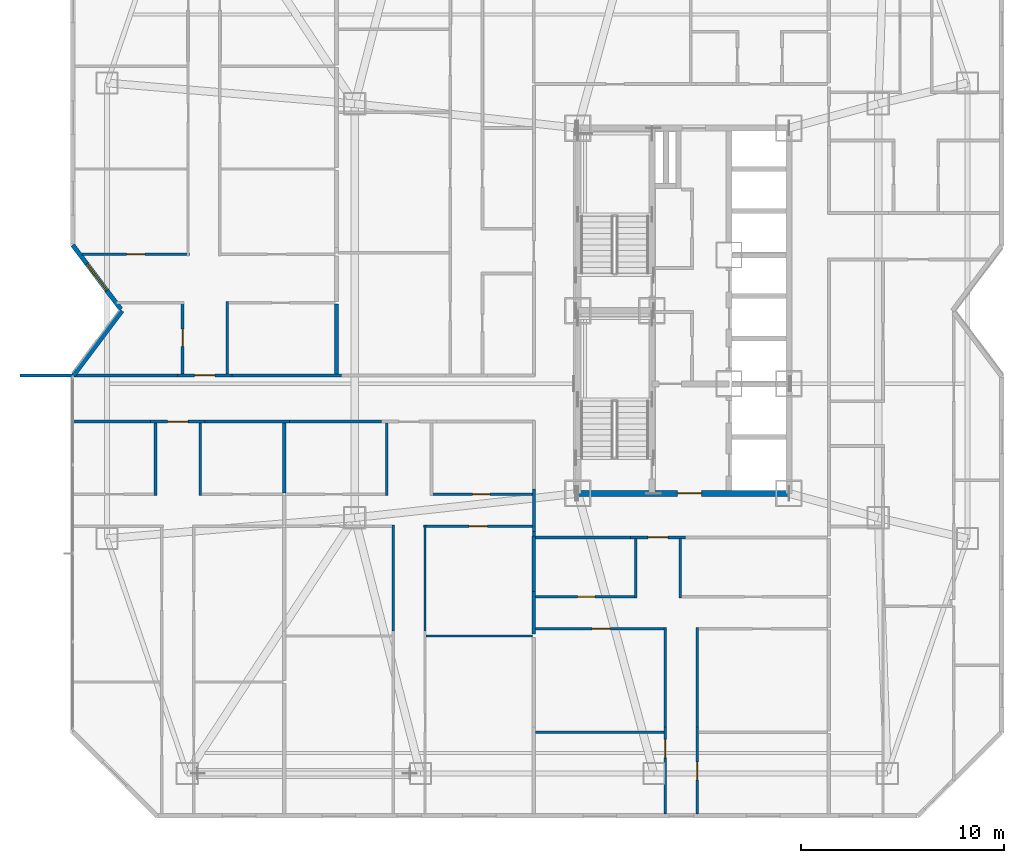
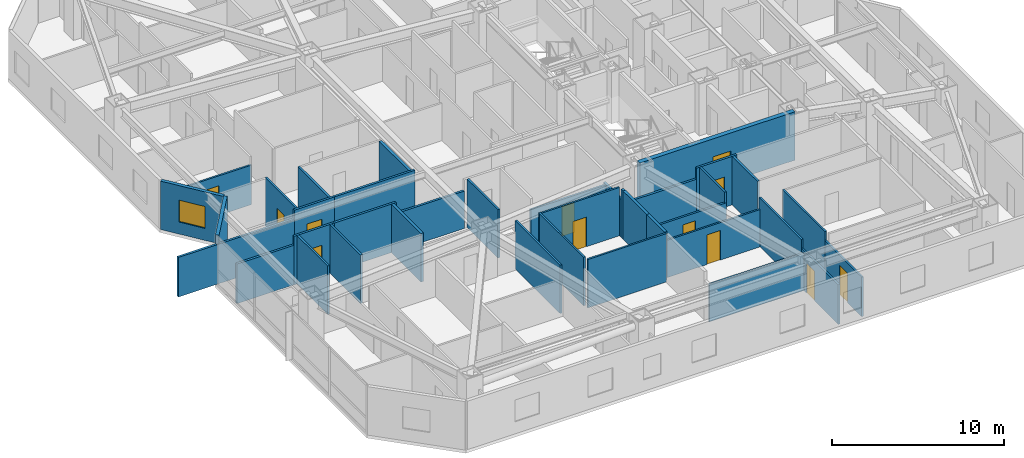
# One storey, part 12 of 19: 38 walls, 12 doors, 1 window, 13 openings.
"""IFC4 building model written with IfcOpenShell, lengths in metres."""

from ifc_helpers import new_model, si_unit, direction, frame, frame_2d, origin, place, context, subcontext, project, spatial, rectangle, extrude, material, layer, layer_set, type_object, element, fill, save


model = new_model("IFC4")

# Units and contexts
model_context = context("Model", 3, precision=1e-05, world=origin(), true_north=direction((0.0, 1.0)))
body_context = subcontext(model_context, "Body", "Model", "MODEL_VIEW")
ifc_project = project(units=[si_unit("LENGTHUNIT", "METRE"), si_unit("AREAUNIT", "SQUARE_METRE"), si_unit("VOLUMEUNIT", "CUBIC_METRE"), si_unit("PLANEANGLEUNIT", "RADIAN"), si_unit("MASSUNIT", "GRAM", prefix="KILO")], contexts=[model_context])

# Site, building, storey
site_placement = place(None, origin())
site = spatial("IfcSite", under=ifc_project, at=site_placement, CompositionType="ELEMENT")
building_placement = place(site_placement, origin())
building = spatial("IfcBuilding", under=site, at=building_placement, Name="Khamvora Tower", CompositionType="ELEMENT")
storey_placement = place(building_placement, frame((0.0, 0.0, 58.85009765625)))
storey = spatial("IfcBuildingStorey", under=building, at=storey_placement, Name="L14", CompositionType="ELEMENT", Elevation=58.85009765625)

# Wall, opening, door
ifc_material_1 = material(Name="Concrete C50/60", Category="concrete")
ifc_layer_1 = layer(ifc_material_1, 0.300048828125)
ifc_layer_set_1 = layer_set([ifc_layer_1], Name="Concrete C50/60")
wall_type_1 = type_object("IfcWallType", Name="WAL-CORE-300", PredefinedType="SHEAR", material=ifc_layer_set_1)
wall_1_placement = place(storey_placement, frame((29.0, 19.0, 0.0), z_axis=(0.0, 0.0, 1.0), x_axis=(1.0, 0.0, 0.0)))
wall_1 = element("IfcWall", 1, at=wall_1_placement, inside=storey, type_object=wall_type_1, Name="L14 central core south wall", PredefinedType="SHEAR", context=body_context, shape_type="SweptSolid", body=[
    extrude(rectangle(XDim=10.39990234375, YDim=0.300048828125, at=frame_2d((5.199951171875, 0.0))), origin(), (0.0, 0.0, 1.0), 3.429931640625),
])
opening_1_placement = place(wall_1_placement, frame((4.89990234375, 0.0, 0.0)))
opening_1 = element("IfcOpeningElement", 2, at=opening_1_placement, cuts=wall_1, Name="Opening D-CR1", PredefinedType="OPENING", context=body_context, shape_type="SweptSolid", body=[
    extrude(rectangle(XDim=1.199951171875, YDim=2.14990234375, at=frame_2d((0.60009765625, 1.074951171875))), frame((0.0, 0.159912109375, 0.0), z_axis=(0.0, -1.0, 0.0), x_axis=(1.0, 0.0, 0.0)), (0.0, 0.0, 1.0), 0.320068359375),
])
ifc_material_2 = material(Name="Powder-Coated Steel and Hardwood Leaf", Category="steel")
door_type_1 = type_object("IfcDoorType", Name="DOR-CORR-1200", OperationType="NOTDEFINED", PredefinedType="DOOR", material=ifc_material_2)
door_1_placement = place(opening_1_placement, origin())
door_1 = element("IfcDoor", 3, at=door_1_placement, inside=storey, type_object=door_type_1, Name="L14 south core lobby to corridor fire door", OperationType="SINGLE_SWING_RIGHT", OverallHeight=2.14990234375, OverallWidth=1.199951171875, PredefinedType="DOOR", context=body_context, shape_type="SweptSolid", body=[
    extrude(rectangle(XDim=1.199951171875, YDim=2.14990234375, at=frame_2d((0.60009765625, 1.074951171875))), frame((0.0, 0.02490234375, 0.0), z_axis=(0.0, -1.0, 0.0), x_axis=(1.0, 0.0, 0.0)), (0.0, 0.0, 1.0), 0.050048828125),
])
fill(opening_1, door_1)

ifc_material_3 = material(Name="Fire-Rated Drywall and Steel Stud", Category="steel")
ifc_layer_2 = layer(ifc_material_3, 0.14990234375)
ifc_layer_set_2 = layer_set([ifc_layer_2], Name="Fire-Rated Drywall and Steel Stud")
wall_type_2 = type_object("IfcWallType", Name="WAL-CORR-150", PredefinedType="STANDARD", material=ifc_layer_set_2)
wall_2_placement = place(storey_placement, frame((10.637939453125, 22.534912109375, 0.0), z_axis=(0.0, 0.0, 1.0), x_axis=(-1.0, 0.0, 0.0)))
wall_2 = element("IfcWall", 4, at=wall_2_placement, inside=storey, type_object=wall_type_2, Name="L14 interior partition wall 007", PredefinedType="STANDARD", context=body_context, shape_type="SweptSolid", body=[
    extrude(rectangle(XDim=2.697998046875, YDim=0.14990234375, at=frame_2d((1.34912109375, 0.0))), origin(), (0.0, 0.0, 1.0), 3.429931640625),
])
opening_2_placement = place(wall_2_placement, frame((0.84912109375, 0.0, 0.0)))
opening_2 = element("IfcOpeningElement", 5, at=opening_2_placement, cuts=wall_2, Name="Opening D-U1", PredefinedType="OPENING", context=body_context, shape_type="SweptSolid", body=[
    extrude(rectangle(XDim=1.0, YDim=2.14990234375, at=frame_2d((0.5, 1.074951171875))), frame((0.0, 0.0849609375, 0.0), z_axis=(0.0, -1.0, 0.0), x_axis=(1.0, 0.0, 0.0)), (0.0, 0.0, 1.0), 0.169921875),
])
door_type_2 = type_object("IfcDoorType", Name="DOR-UNIT-1000", OperationType="NOTDEFINED", PredefinedType="DOOR", material=ifc_material_2)
door_2_placement = place(opening_2_placement, origin())
door_2 = element("IfcDoor", 6, at=door_2_placement, inside=storey, type_object=door_type_2, Name="L14 interior door COR-14WA1H", OperationType="SINGLE_SWING_LEFT", OverallHeight=2.14990234375, OverallWidth=1.0, PredefinedType="DOOR", context=body_context, shape_type="SweptSolid", body=[
    extrude(rectangle(XDim=1.0, YDim=2.14990234375, at=frame_2d((0.5, 1.074951171875))), frame((0.0, 0.02490234375, 0.0), z_axis=(0.0, -1.0, 0.0), x_axis=(1.0, 0.0, 0.0)), (0.0, 0.0, 1.0), 0.050048828125),
])
fill(opening_2, door_2)

# Walls
wall_3_placement = place(storey_placement, frame((14.782958984375, 22.534912109375, 0.0), z_axis=(0.0, 0.0, 1.0), x_axis=(-1.0, 0.0, 0.0)))
element("IfcWall", 7, at=wall_3_placement, inside=storey, type_object=wall_type_2, Name="L14 interior partition wall 008", PredefinedType="STANDARD", context=body_context, shape_type="SweptSolid", body=[
    extrude(rectangle(XDim=4.14501953125, YDim=0.14990234375, at=frame_2d((2.072509765625, 0.0))), origin(), (0.0, 0.0, 1.0), 3.429931640625),
])
wall_4_placement = place(storey_placement, frame((7.93994140625, 22.534912109375, 0.0), z_axis=(0.0, 0.0, 1.0), x_axis=(-1.0, 0.0, 0.0)))
element("IfcWall", 8, at=wall_4_placement, inside=storey, type_object=wall_type_2, Name="L14 interior partition wall 009", PredefinedType="STANDARD", context=body_context, shape_type="SweptSolid", body=[
    extrude(rectangle(XDim=3.829833984375, YDim=0.14990234375, at=frame_2d((1.9150390625, 0.0))), origin(), (0.0, 0.0, 1.0), 2.802978515625),
])
wall_5_placement = place(storey_placement, frame((26.8349609375, 17.1259765625, 0.0), z_axis=(0.0, 0.0, 1.0), x_axis=(0.0, 1.0, 0.0)))
element("IfcWall", 9, at=wall_5_placement, inside=storey, type_object=wall_type_2, Name="L14 interior partition wall 010", PredefinedType="STANDARD", context=body_context, shape_type="SweptSolid", body=[
    extrude(rectangle(XDim=2.078125, YDim=0.14990234375, at=frame_2d((1.0390625, 0.0))), origin(), (0.0, 0.0, 1.0), 2.64697265625),
])
wall_6_placement = place(storey_placement, frame((19.3349609375, 22.534912109375, 0.0), z_axis=(0.0, 0.0, 1.0), x_axis=(-1.0, 0.0, 0.0)))
element("IfcWall", 10, at=wall_6_placement, inside=storey, type_object=wall_type_2, Name="L14 interior partition wall 014", PredefinedType="STANDARD", context=body_context, shape_type="SweptSolid", body=[
    extrude(rectangle(XDim=4.552001953125, YDim=0.14990234375, at=frame_2d((2.27587890625, 0.0))), origin(), (0.0, 0.0, 1.0), 2.64697265625),
])
wall_7_placement = place(storey_placement, frame((26.8349609375, 16.89990234375, 0.0), z_axis=(0.0, 0.0, 1.0), x_axis=(0.0, 1.0, 0.0)))
element("IfcWall", 11, at=wall_7_placement, inside=storey, type_object=wall_type_2, Name="L14 interior partition wall 015", PredefinedType="STANDARD", context=body_context, shape_type="SweptSolid", body=[
    extrude(rectangle(XDim=0.22607421875, YDim=0.14990234375, at=frame_2d((0.113037109375, 0.0))), origin(), (0.0, 0.0, 1.0), 3.429931640625),
])

# Wall, opening, door
wall_8_placement = place(storey_placement, frame((9.27001953125, 24.81494140625, 0.0), z_axis=(0.0, 0.0, 1.0), x_axis=(1.0, 0.0, 0.0)))
wall_8 = element("IfcWall", 12, at=wall_8_placement, inside=storey, type_object=wall_type_2, Name="L14 interior partition wall 016", PredefinedType="STANDARD", context=body_context, shape_type="SweptSolid", body=[
    extrude(rectangle(XDim=2.697998046875, YDim=0.14990234375, at=frame_2d((1.34912109375, 0.0))), origin(), (0.0, 0.0, 1.0), 3.429931640625),
])
opening_3_placement = place(wall_8_placement, frame((0.84912109375, 0.0, 0.0)))
opening_3 = element("IfcOpeningElement", 13, at=opening_3_placement, cuts=wall_8, Name="Opening D-U1", PredefinedType="OPENING", context=body_context, shape_type="SweptSolid", body=[
    extrude(rectangle(XDim=1.0, YDim=2.14990234375, at=frame_2d((0.5, 1.074951171875))), frame((0.0, 0.0849609375, 0.0), z_axis=(0.0, -1.0, 0.0), x_axis=(1.0, 0.0, 0.0)), (0.0, 0.0, 1.0), 0.169921875),
])
door_3_placement = place(opening_3_placement, origin())
door_3 = element("IfcDoor", 14, at=door_3_placement, inside=storey, type_object=door_type_2, Name="L14 interior door COR-14WBH", OperationType="SINGLE_SWING_LEFT", OverallHeight=2.14990234375, OverallWidth=1.0, PredefinedType="DOOR", context=body_context, shape_type="SweptSolid", body=[
    extrude(rectangle(XDim=1.0, YDim=2.14990234375, at=frame_2d((0.5, 1.074951171875))), frame((0.0, 0.02490234375, 0.0), z_axis=(0.0, -1.0, 0.0), x_axis=(1.0, 0.0, 0.0)), (0.0, 0.0, 1.0), 0.050048828125),
])
fill(opening_3, door_3)

# Walls
wall_9_placement = place(storey_placement, frame((1.510009765625, 24.81494140625, 0.0), z_axis=(0.0, 0.0, 1.0), x_axis=(1.0, 0.0, 0.0)))
element("IfcWall", 15, at=wall_9_placement, inside=storey, type_object=wall_type_2, Name="L14 interior partition wall 017", PredefinedType="STANDARD", context=body_context, shape_type="SweptSolid", body=[
    extrude(rectangle(XDim=7.760009765625, YDim=0.14990234375, at=frame_2d((3.8798828125, 0.0))), origin(), (0.0, 0.0, 1.0), 2.802978515625),
])
wall_10_placement = place(storey_placement, frame((11.968017578125, 24.81494140625, 0.0), z_axis=(0.0, 0.0, 1.0), x_axis=(1.0, 0.0, 0.0)))
element("IfcWall", 16, at=wall_10_placement, inside=storey, type_object=wall_type_2, Name="L14 interior partition wall 018", PredefinedType="STANDARD", context=body_context, shape_type="SweptSolid", body=[
    extrude(rectangle(XDim=5.385986328125, YDim=0.14990234375, at=frame_2d((2.69287109375, 0.0))), origin(), (0.0, 0.0, 1.0), 3.429931640625),
])

# Wall, opening, door
wall_11_placement = place(storey_placement, frame((34.299072265625, 16.8349609375, 0.0), z_axis=(0.0, 0.0, 1.0), x_axis=(-1.0, 0.0, 0.0)))
wall_11 = element("IfcWall", 17, at=wall_11_placement, inside=storey, type_object=wall_type_2, Name="L14 interior partition wall 026", PredefinedType="STANDARD", context=body_context, shape_type="SweptSolid", body=[
    extrude(rectangle(XDim=2.697998046875, YDim=0.14990234375, at=frame_2d((1.34912109375, 0.0))), origin(), (0.0, 0.0, 1.0), 3.429931640625),
])
opening_4_placement = place(wall_11_placement, frame((0.84912109375, 0.0, 0.0)))
opening_4 = element("IfcOpeningElement", 18, at=opening_4_placement, cuts=wall_11, Name="Opening D-U1", PredefinedType="OPENING", context=body_context, shape_type="SweptSolid", body=[
    extrude(rectangle(XDim=1.0, YDim=2.14990234375, at=frame_2d((0.5, 1.074951171875))), frame((0.0, 0.0849609375, 0.0), z_axis=(0.0, -1.0, 0.0), x_axis=(1.0, 0.0, 0.0)), (0.0, 0.0, 1.0), 0.169921875),
])
door_4_placement = place(opening_4_placement, origin())
door_4 = element("IfcDoor", 19, at=door_4_placement, inside=storey, type_object=door_type_2, Name="L14 interior door COR-14SAH", OperationType="SINGLE_SWING_LEFT", OverallHeight=2.14990234375, OverallWidth=1.0, PredefinedType="DOOR", context=body_context, shape_type="SweptSolid", body=[
    extrude(rectangle(XDim=1.0, YDim=2.14990234375, at=frame_2d((0.5, 1.074951171875))), frame((0.0, 0.02490234375, 0.0), z_axis=(0.0, -1.0, 0.0), x_axis=(1.0, 0.0, 0.0)), (0.0, 0.0, 1.0), 0.050048828125),
])
fill(opening_4, door_4)

# Walls
wall_12_placement = place(storey_placement, frame((31.60107421875, 16.8349609375, 0.0), z_axis=(0.0, 0.0, 1.0), x_axis=(-1.0, 0.0, 0.0)))
element("IfcWall", 20, at=wall_12_placement, inside=storey, type_object=wall_type_2, Name="L14 interior partition wall 027", PredefinedType="STANDARD", context=body_context, shape_type="SweptSolid", body=[
    extrude(rectangle(XDim=4.701171875, YDim=0.14990234375, at=frame_2d((2.3505859375, 0.0))), origin(), (0.0, 0.0, 1.0), 2.64697265625),
])
ifc_material_4 = material(Name="Acoustic Double-Stud Fire Wall", Category="gypsum")
ifc_layer_3 = layer(ifc_material_4, 0.179931640625)
ifc_layer_set_3 = layer_set([ifc_layer_3], Name="Acoustic Double-Stud Fire Wall")
wall_type_3 = type_object("IfcWallType", Name="WAL-CORR-180", PredefinedType="STANDARD", material=ifc_layer_set_3)
wall_13_placement = place(storey_placement, frame((14.533935546875, 22.469970703125, 0.0), z_axis=(0.0, 0.0, 1.0), x_axis=(0.0, -1.0, 0.0)))
element("IfcWall", 21, at=wall_13_placement, inside=storey, type_object=wall_type_3, Name="L14 interior partition wall 057", PredefinedType="STANDARD", context=body_context, shape_type="SweptSolid", body=[
    extrude(rectangle(XDim=3.449951171875, YDim=0.179931640625, at=frame_2d((1.72509765625, 0.0))), origin(), (0.0, 0.0, 1.0), 3.429931640625),
])
wall_14_placement = place(storey_placement, frame((26.8349609375, 14.155029296875, 0.0), z_axis=(0.0, 0.0, 1.0), x_axis=(0.0, -1.0, 0.0)))
element("IfcWall", 22, at=wall_14_placement, inside=storey, type_object=wall_type_3, Name="L14 interior partition wall 077", PredefinedType="STANDARD", context=body_context, shape_type="SweptSolid", body=[
    extrude(rectangle(XDim=2.078125, YDim=0.179931640625, at=frame_2d((1.0390625, 0.0))), origin(), (0.0, 0.0, 1.0), 3.429931640625),
])
wall_15_placement = place(storey_placement, frame((26.8349609375, 16.89990234375, 0.0), z_axis=(0.0, 0.0, 1.0), x_axis=(0.0, -1.0, 0.0)))
element("IfcWall", 23, at=wall_15_placement, inside=storey, type_object=wall_type_3, Name="L14 interior partition wall 078", PredefinedType="STANDARD", context=body_context, shape_type="SweptSolid", body=[
    extrude(rectangle(XDim=2.744873046875, YDim=0.179931640625, at=frame_2d((1.37255859375, 0.0))), origin(), (0.0, 0.0, 1.0), 3.429931640625),
])
wall_16_placement = place(storey_placement, frame((17.10498046875, 28.330078125, 0.0), z_axis=(0.0, 0.0, 1.0), x_axis=(0.0, -1.0, 0.0)))
element("IfcWall", 24, at=wall_16_placement, inside=storey, type_object=wall_type_3, Name="L14 interior partition wall 094", PredefinedType="STANDARD", context=body_context, shape_type="SweptSolid", body=[
    extrude(rectangle(XDim=3.447998046875, YDim=0.179931640625, at=frame_2d((1.72412109375, 0.0))), origin(), (0.0, 0.0, 1.0), 3.429931640625),
])
ifc_material_5 = material(Name="Precast concrete C40/50", Category="concrete")
ifc_layer_4 = layer(ifc_material_5, 0.219970703125)
ifc_layer_set_4 = layer_set([ifc_layer_4], Name="Precast concrete C40/50")
wall_type_4 = type_object("IfcWallType", Name="WAL-EXT-220", PredefinedType="STANDARD", material=ifc_layer_set_4)
wall_17_placement = place(storey_placement, frame((4.14501953125, 24.80908203125, 0.0), z_axis=(0.0, 0.0, 1.0), x_axis=(0.599823674734, 0.800132213592, 0.0)))
element("IfcWall", 25, at=wall_17_placement, inside=storey, type_object=wall_type_4, Name="L14 exterior facade wall 03.1", PredefinedType="STANDARD", context=body_context, shape_type="SweptSolid", body=[
    extrude(rectangle(XDim=3.988037109375, YDim=0.219970703125, at=frame_2d((1.994140625, 0.0))), origin(), (0.0, 0.0, 1.0), 3.429931640625),
])

# Wall, opening, window
wall_18_placement = place(storey_placement, frame((6.47998046875, 28.076904296875, 0.0), z_axis=(0.0, 0.0, 1.0), x_axis=(-0.599960442794, 0.800029666377, 0.0)))
wall_18 = element("IfcWall", 26, at=wall_18_placement, inside=storey, type_object=wall_type_4, Name="L14 exterior facade wall 04.1", PredefinedType="STANDARD", context=body_context, shape_type="SweptSolid", body=[
    extrude(rectangle(XDim=3.949951171875, YDim=0.219970703125, at=frame_2d((1.97509765625, 0.0))), origin(), (0.0, 0.0, 1.0), 3.429931640625),
])
opening_5_placement = place(wall_18_placement, frame((1.14990234375, 0.0, 0.85009765625)))
opening_5 = element("IfcOpeningElement", 27, at=opening_5_placement, cuts=wall_18, Name="Opening WN-06", PredefinedType="OPENING", context=body_context, shape_type="SweptSolid", body=[
    extrude(rectangle(XDim=1.64990234375, YDim=1.550048828125, at=frame_2d((0.824951171875, 0.77490234375))), frame((0.0, 0.119873046875, 0.0), z_axis=(0.0, -1.0, 0.0), x_axis=(1.0, 0.0, 0.0)), (0.0, 0.0, 1.0), 0.239990234375),
])
ifc_material_6 = material(Name="Low-E Laminated Double Glazing", Category="glass")
window_type = type_object("IfcWindowType", Name="WIN-VIS-1650x1550", PartitioningType="SINGLE_PANEL", PredefinedType="WINDOW", material=ifc_material_6)
window_placement = place(opening_5_placement, origin())
window = element("IfcWindow", 28, at=window_placement, inside=storey, type_object=window_type, Name="L14 vision window 04.1.01", OverallHeight=1.550048828125, OverallWidth=1.64990234375, PartitioningType="SINGLE_PANEL", PredefinedType="WINDOW", context=body_context, shape_type="SweptSolid", body=[
    extrude(rectangle(XDim=1.64990234375, YDim=1.550048828125, at=frame_2d((0.824951171875, 0.77490234375))), frame((0.0, 0.030029296875, 0.0), z_axis=(0.0, -1.0, 0.0), x_axis=(1.0, 0.0, 0.0)), (0.0, 0.0, 1.0), 0.06005859375),
])
fill(opening_5, window)

# Wall
ifc_material_7 = material(Name="Gypsum Plasterboard Partition", Category="gypsum")
ifc_layer_5 = layer(ifc_material_7, 0.1201171875)
ifc_layer_set_5 = layer_set([ifc_layer_5], Name="Gypsum Plasterboard Partition")
wall_type_5 = type_object("IfcWallType", Name="WAL-PART-120", PredefinedType="PARTITIONING", material=ifc_layer_set_5)
wall_19_placement = place(storey_placement, frame((19.89892578125, 12.220947265625, 0.0), z_axis=(0.0, 0.0, 1.0), x_axis=(0.0, 1.0, 0.0)))
element("IfcWall", 29, at=wall_19_placement, inside=storey, type_object=wall_type_5, Name="L14 interior partition wall 069", PredefinedType="PARTITIONING", context=body_context, shape_type="SweptSolid", body=[
    extrude(rectangle(XDim=5.218994140625, YDim=0.1201171875, at=frame_2d((2.609375, 0.0))), origin(), (0.0, 0.0, 1.0), 3.429931640625),
])

# Wall, opening, door
wall_20_placement = place(storey_placement, frame((26.77001953125, 17.375, 0.0), z_axis=(0.0, 0.0, 1.0), x_axis=(-1.0, 0.0, 0.0)))
wall_20 = element("IfcWall", 30, at=wall_20_placement, inside=storey, type_object=wall_type_5, Name="L14 interior partition wall 071", PredefinedType="PARTITIONING", context=body_context, shape_type="SweptSolid", body=[
    extrude(rectangle(XDim=5.365966796875, YDim=0.1201171875, at=frame_2d((2.68310546875, 0.0))), origin(), (0.0, 0.0, 1.0), 3.429931640625),
])
opening_6_placement = place(wall_20_placement, frame((2.23291015625, 0.0, 0.0)))
opening_6 = element("IfcOpeningElement", 31, at=opening_6_placement, cuts=wall_20, Name="Opening D-RM1", PredefinedType="OPENING", context=body_context, shape_type="SweptSolid", body=[
    extrude(rectangle(XDim=0.89990234375, YDim=2.10009765625, at=frame_2d((0.449951171875, 1.050048828125))), frame((0.0, 0.070068359375, 0.0), z_axis=(0.0, -1.0, 0.0), x_axis=(1.0, 0.0, 0.0)), (0.0, 0.0, 1.0), 0.14013671875),
])
door_type_3 = type_object("IfcDoorType", Name="DOR-ROOM-900", OperationType="NOTDEFINED", PredefinedType="DOOR", material=ifc_material_2)
door_5_placement = place(opening_6_placement, origin())
door_5 = element("IfcDoor", 32, at=door_5_placement, inside=storey, type_object=door_type_3, Name="L14 interior door 14WA2H-14WA2R4", OperationType="SINGLE_SWING_LEFT", OverallHeight=2.10009765625, OverallWidth=0.89990234375, PredefinedType="DOOR", context=body_context, shape_type="SweptSolid", body=[
    extrude(rectangle(XDim=0.89990234375, YDim=2.10009765625, at=frame_2d((0.449951171875, 1.050048828125))), frame((0.0, 0.02490234375, 0.0), z_axis=(0.0, -1.0, 0.0), x_axis=(1.0, 0.0, 0.0)), (0.0, 0.0, 1.0), 0.050048828125),
])
fill(opening_6, door_5)

# Walls
wall_21_placement = place(storey_placement, frame((21.468994140625, 17.43994140625, 0.0), z_axis=(0.0, 0.0, 1.0), x_axis=(0.0, -1.0, 0.0)))
element("IfcWall", 33, at=wall_21_placement, inside=storey, type_object=wall_type_5, Name="L14 interior partition wall 072", PredefinedType="PARTITIONING", context=body_context, shape_type="SweptSolid", body=[
    extrude(rectangle(XDim=5.218994140625, YDim=0.1201171875, at=frame_2d((2.609375, 0.0))), origin(), (0.0, 0.0, 1.0), 3.429931640625),
])
wall_22_placement = place(storey_placement, frame((21.52294921875, 11.971923828125, 0.0), z_axis=(0.0, 0.0, 1.0), x_axis=(1.0, 0.0, 0.0)))
element("IfcWall", 34, at=wall_22_placement, inside=storey, type_object=wall_type_5, Name="L14 interior partition wall 074", PredefinedType="PARTITIONING", context=body_context, shape_type="SweptSolid", body=[
    extrude(rectangle(XDim=5.2470703125, YDim=0.1201171875, at=frame_2d((2.62353515625, 0.0))), origin(), (0.0, 0.0, 1.0), 3.429931640625),
])

# Wall, opening, door
wall_23_placement = place(storey_placement, frame((4.568115234375, 30.77490234375, 0.0), z_axis=(0.0, 0.0, 1.0), x_axis=(1.0, 0.0, 0.0)))
wall_23 = element("IfcWall", 35, at=wall_23_placement, inside=storey, type_object=wall_type_5, Name="L14 interior partition wall 084", PredefinedType="PARTITIONING", context=body_context, shape_type="SweptSolid", body=[
    extrude(rectangle(XDim=5.286865234375, YDim=0.1201171875, at=frame_2d((2.6435546875, 0.0))), origin(), (0.0, 0.0, 1.0), 2.802978515625),
])
opening_7_placement = place(wall_23_placement, frame((2.193115234375, 0.0, 0.0)))
opening_7 = element("IfcOpeningElement", 36, at=opening_7_placement, cuts=wall_23, Name="Opening D-RM1", PredefinedType="OPENING", context=body_context, shape_type="SweptSolid", body=[
    extrude(rectangle(XDim=0.89990234375, YDim=2.10009765625, at=frame_2d((0.449951171875, 1.050048828125))), frame((0.0, 0.070068359375, 0.0), z_axis=(0.0, -1.0, 0.0), x_axis=(1.0, 0.0, 0.0)), (0.0, 0.0, 1.0), 0.14013671875),
])
door_6_placement = place(opening_7_placement, origin())
door_6 = element("IfcDoor", 37, at=door_6_placement, inside=storey, type_object=door_type_3, Name="L14 interior door 14WBH-14WBL", OperationType="SINGLE_SWING_RIGHT", OverallHeight=2.10009765625, OverallWidth=0.89990234375, PredefinedType="DOOR", context=body_context, shape_type="SweptSolid", body=[
    extrude(rectangle(XDim=0.89990234375, YDim=2.10009765625, at=frame_2d((0.449951171875, 1.050048828125))), frame((0.0, 0.02490234375, 0.0), z_axis=(0.0, -1.0, 0.0), x_axis=(1.0, 0.0, 0.0)), (0.0, 0.0, 1.0), 0.050048828125),
])
fill(opening_7, door_6)

wall_24_placement = place(storey_placement, frame((33.31494140625, 3.2119140625, 0.0), z_axis=(0.0, 0.0, 1.0), x_axis=(0.0, 1.0, 0.0)))
wall_24 = element("IfcWall", 38, at=wall_24_placement, inside=storey, type_object=wall_type_5, Name="L14 interior partition wall 128", PredefinedType="PARTITIONING", context=body_context, shape_type="SweptSolid", body=[
    extrude(rectangle(XDim=4.26904296875, YDim=0.1201171875, at=frame_2d((2.134521484375, 0.0))), origin(), (0.0, 0.0, 1.0), 2.802978515625),
])
opening_8_placement = place(wall_24_placement, frame((2.77001953125, 0.0, 0.0)))
opening_8 = element("IfcOpeningElement", 39, at=opening_8_placement, cuts=wall_24, Name="Opening D-RM1", PredefinedType="OPENING", context=body_context, shape_type="SweptSolid", body=[
    extrude(rectangle(XDim=0.89990234375, YDim=2.10009765625, at=frame_2d((0.449951171875, 1.050048828125))), frame((0.0, 0.070068359375, 0.0), z_axis=(0.0, -1.0, 0.0), x_axis=(1.0, 0.0, 0.0)), (0.0, 0.0, 1.0), 0.14013671875),
])
door_7_placement = place(opening_8_placement, origin())
door_7 = element("IfcDoor", 40, at=door_7_placement, inside=storey, type_object=door_type_3, Name="L14 interior door 14SAH-14SAL", OperationType="SINGLE_SWING_RIGHT", OverallHeight=2.10009765625, OverallWidth=0.89990234375, PredefinedType="DOOR", context=body_context, shape_type="SweptSolid", body=[
    extrude(rectangle(XDim=0.89990234375, YDim=2.10009765625, at=frame_2d((0.449951171875, 1.050048828125))), frame((0.0, 0.02490234375, 0.0), z_axis=(0.0, -1.0, 0.0), x_axis=(1.0, 0.0, 0.0)), (0.0, 0.0, 1.0), 0.050048828125),
])
fill(opening_8, door_7)

# Wall
wall_25_placement = place(storey_placement, frame((33.31494140625, 7.48095703125, 0.0), z_axis=(0.0, 0.0, 1.0), x_axis=(0.0, 1.0, 0.0)))
element("IfcWall", 41, at=wall_25_placement, inside=storey, type_object=wall_type_5, Name="L14 interior partition wall 129", PredefinedType="PARTITIONING", context=body_context, shape_type="SweptSolid", body=[
    extrude(rectangle(XDim=4.91015625, YDim=0.1201171875, at=frame_2d((2.455078125, 0.0))), origin(), (0.0, 0.0, 1.0), 3.429931640625),
])

# Wall, opening, door
wall_26_placement = place(storey_placement, frame((33.3798828125, 12.325927734375, 0.0), z_axis=(0.0, 0.0, 1.0), x_axis=(-1.0, 0.0, 0.0)))
wall_26 = element("IfcWall", 42, at=wall_26_placement, inside=storey, type_object=wall_type_5, Name="L14 interior partition wall 130", PredefinedType="PARTITIONING", context=body_context, shape_type="SweptSolid", body=[
    extrude(rectangle(XDim=6.462890625, YDim=0.1201171875, at=frame_2d((3.2314453125, 0.0))), origin(), (0.0, 0.0, 1.0), 2.64697265625),
])
opening_9_placement = place(wall_26_placement, frame((2.781005859375, 0.0, 0.0)))
opening_9 = element("IfcOpeningElement", 43, at=opening_9_placement, cuts=wall_26, Name="Opening D-RM1", PredefinedType="OPENING", context=body_context, shape_type="SweptSolid", body=[
    extrude(rectangle(XDim=0.89990234375, YDim=2.10009765625, at=frame_2d((0.449951171875, 1.050048828125))), frame((0.0, 0.070068359375, 0.0), z_axis=(0.0, -1.0, 0.0), x_axis=(1.0, 0.0, 0.0)), (0.0, 0.0, 1.0), 0.14013671875),
])
door_8_placement = place(opening_9_placement, origin())
door_8 = element("IfcDoor", 44, at=door_8_placement, inside=storey, type_object=door_type_3, Name="L14 interior door 14SAH-14SAR2", OperationType="SINGLE_SWING_RIGHT", OverallHeight=2.10009765625, OverallWidth=0.89990234375, PredefinedType="DOOR", context=body_context, shape_type="SweptSolid", body=[
    extrude(rectangle(XDim=0.89990234375, YDim=2.10009765625, at=frame_2d((0.449951171875, 1.050048828125))), frame((0.0, 0.02490234375, 0.0), z_axis=(0.0, -1.0, 0.0), x_axis=(1.0, 0.0, 0.0)), (0.0, 0.0, 1.0), 0.050048828125),
])
fill(opening_9, door_8)

wall_27_placement = place(storey_placement, frame((34.885009765625, 7.48095703125, 0.0), z_axis=(0.0, 0.0, 1.0), x_axis=(0.0, -1.0, 0.0)))
wall_27 = element("IfcWall", 45, at=wall_27_placement, inside=storey, type_object=wall_type_5, Name="L14 interior partition wall 131", PredefinedType="PARTITIONING", context=body_context, shape_type="SweptSolid", body=[
    extrude(rectangle(XDim=4.26904296875, YDim=0.1201171875, at=frame_2d((2.134521484375, 0.0))), origin(), (0.0, 0.0, 1.0), 2.802978515625),
])
opening_10_placement = place(wall_27_placement, frame((1.7060546875, 0.0, 0.0)))
opening_10 = element("IfcOpeningElement", 46, at=opening_10_placement, cuts=wall_27, Name="Opening D-RM1", PredefinedType="OPENING", context=body_context, shape_type="SweptSolid", body=[
    extrude(rectangle(XDim=0.89990234375, YDim=2.10009765625, at=frame_2d((0.449951171875, 1.050048828125))), frame((0.0, 0.070068359375, 0.0), z_axis=(0.0, -1.0, 0.0), x_axis=(1.0, 0.0, 0.0)), (0.0, 0.0, 1.0), 0.14013671875),
])
door_9_placement = place(opening_10_placement, origin())
door_9 = element("IfcDoor", 47, at=door_9_placement, inside=storey, type_object=door_type_3, Name="L14 interior door 14SAH-14SAR3", OperationType="SINGLE_SWING_LEFT", OverallHeight=2.10009765625, OverallWidth=0.89990234375, PredefinedType="DOOR", context=body_context, shape_type="SweptSolid", body=[
    extrude(rectangle(XDim=0.89990234375, YDim=2.10009765625, at=frame_2d((0.449951171875, 1.050048828125))), frame((0.0, 0.02490234375, 0.0), z_axis=(0.0, -1.0, 0.0), x_axis=(1.0, 0.0, 0.0)), (0.0, 0.0, 1.0), 0.050048828125),
])
fill(opening_10, door_9)

# Walls
wall_28_placement = place(storey_placement, frame((34.885009765625, 12.39111328125, 0.0), z_axis=(0.0, 0.0, 1.0), x_axis=(0.0, -1.0, 0.0)))
element("IfcWall", 48, at=wall_28_placement, inside=storey, type_object=wall_type_5, Name="L14 interior partition wall 133", PredefinedType="PARTITIONING", context=body_context, shape_type="SweptSolid", body=[
    extrude(rectangle(XDim=4.91015625, YDim=0.1201171875, at=frame_2d((2.455078125, 0.0))), origin(), (0.0, 0.0, 1.0), 3.429931640625),
])
wall_29_placement = place(storey_placement, frame((26.9169921875, 7.23193359375, 0.0), z_axis=(0.0, 0.0, 1.0), x_axis=(1.0, 0.0, 0.0)))
element("IfcWall", 49, at=wall_29_placement, inside=storey, type_object=wall_type_5, Name="L14 interior partition wall 136", PredefinedType="PARTITIONING", context=body_context, shape_type="SweptSolid", body=[
    extrude(rectangle(XDim=6.343994140625, YDim=0.1201171875, at=frame_2d((3.171875, 0.0))), origin(), (0.0, 0.0, 1.0), 2.64697265625),
])
ifc_material_8 = material(Name="Moisture-Resistant Plasterboard Partition", Category="gypsum")
ifc_layer_6 = layer(ifc_material_8, 0.135009765625)
ifc_layer_set_6 = layer_set([ifc_layer_6], Name="Moisture-Resistant Plasterboard Partition")
wall_type_6 = type_object("IfcWallType", Name="WAL-WET-135", PredefinedType="PARTITIONING", material=ifc_layer_set_6)
for number, where, z_axis, x_axis, name in (
    (50, (10.388916015625, 22.469970703125, 0.0), (0.0, 0.0, 1.0), (0.0, -1.0, 0.0), "L14 interior partition wall 046"),
    (51, (8.18896484375, 18.889892578125, 0.0), (0.0, 0.0, 1.0), (0.0, 1.0, 0.0), "L14 interior partition wall 049"),
):
    element("IfcWall", number, at=place(storey_placement, frame(where, z_axis=z_axis, x_axis=x_axis)), inside=storey, type_object=wall_type_6, Name=name, PredefinedType="PARTITIONING", context=body_context, shape_type="SweptSolid", body=[
        extrude(rectangle(XDim=3.580078125, YDim=0.135009765625, at=frame_2d((1.7900390625, 0.0))), origin(), (0.0, 0.0, 1.0), 3.429931640625),
    ])

# Wall, opening, door
wall_30_placement = place(storey_placement, frame((21.718994140625, 18.955078125, 0.0), z_axis=(0.0, 0.0, 1.0), x_axis=(1.0, 0.0, 0.0)))
wall_30 = element("IfcWall", 52, at=wall_30_placement, inside=storey, type_object=wall_type_6, Name="L14 interior partition wall 064", PredefinedType="PARTITIONING", context=body_context, shape_type="SweptSolid", body=[
    extrude(rectangle(XDim=5.051025390625, YDim=0.135009765625, at=frame_2d((2.525390625, 0.0))), origin(), (0.0, 0.0, 1.0), 2.64697265625),
])
opening_11_placement = place(wall_30_placement, frame((2.10107421875, 0.0, 0.0)))
opening_11 = element("IfcOpeningElement", 53, at=opening_11_placement, cuts=wall_30, Name="Opening D-WC1", PredefinedType="OPENING", context=body_context, shape_type="SweptSolid", body=[
    extrude(rectangle(XDim=0.85009765625, YDim=2.10009765625, at=frame_2d((0.425048828125, 1.050048828125))), frame((0.0, 0.077392578125, 0.0), z_axis=(0.0, -1.0, 0.0), x_axis=(1.0, 0.0, 0.0)), (0.0, 0.0, 1.0), 0.155029296875),
])
door_type_4 = type_object("IfcDoorType", Name="DOR-WET-850", OperationType="NOTDEFINED", PredefinedType="DOOR", material=ifc_material_2)
door_10_placement = place(opening_11_placement, origin())
door_10 = element("IfcDoor", 54, at=door_10_placement, inside=storey, type_object=door_type_4, Name="L14 interior door 14WA2H-14WA2B", OperationType="SINGLE_SWING_LEFT", OverallHeight=2.10009765625, OverallWidth=0.85009765625, PredefinedType="DOOR", context=body_context, shape_type="SweptSolid", body=[
    extrude(rectangle(XDim=0.85009765625, YDim=2.10009765625, at=frame_2d((0.425048828125, 1.050048828125))), frame((0.0, 0.02490234375, 0.0), z_axis=(0.0, -1.0, 0.0), x_axis=(1.0, 0.0, 0.0)), (0.0, 0.0, 1.0), 0.050048828125),
])
fill(opening_11, door_10)

# Wall
wall_31_placement = place(storey_placement, frame((19.583984375, 18.889892578125, 0.0), z_axis=(0.0, 0.0, 1.0), x_axis=(0.0, 1.0, 0.0)))
element("IfcWall", 55, at=wall_31_placement, inside=storey, type_object=wall_type_6, Name="L14 interior partition wall 066", PredefinedType="PARTITIONING", context=body_context, shape_type="SweptSolid", body=[
    extrude(rectangle(XDim=3.580078125, YDim=0.135009765625, at=frame_2d((1.7900390625, 0.0))), origin(), (0.0, 0.0, 1.0), 3.429931640625),
])

# Wall, opening, door
wall_32_placement = place(storey_placement, frame((9.51904296875, 24.882080078125, 0.0), z_axis=(0.0, 0.0, 1.0), x_axis=(0.0, 1.0, 0.0)))
wall_32 = element("IfcWall", 56, at=wall_32_placement, inside=storey, type_object=wall_type_6, Name="L14 interior partition wall 079", PredefinedType="PARTITIONING", context=body_context, shape_type="SweptSolid", body=[
    extrude(rectangle(XDim=3.577880859375, YDim=0.135009765625, at=frame_2d((1.7890625, 0.0))), origin(), (0.0, 0.0, 1.0), 3.429931640625),
])
opening_12_placement = place(wall_32_placement, frame((1.364013671875, 0.0, 0.0)))
opening_12 = element("IfcOpeningElement", 57, at=opening_12_placement, cuts=wall_32, Name="Opening D-WC1", PredefinedType="OPENING", context=body_context, shape_type="SweptSolid", body=[
    extrude(rectangle(XDim=0.85009765625, YDim=2.10009765625, at=frame_2d((0.425048828125, 1.050048828125))), frame((0.0, 0.077392578125, 0.0), z_axis=(0.0, -1.0, 0.0), x_axis=(1.0, 0.0, 0.0)), (0.0, 0.0, 1.0), 0.155029296875),
])
door_11_placement = place(opening_12_placement, origin())
door_11 = element("IfcDoor", 58, at=door_11_placement, inside=storey, type_object=door_type_4, Name="L14 interior door 14WBH-14WBB", OperationType="SINGLE_SWING_RIGHT", OverallHeight=2.10009765625, OverallWidth=0.85009765625, PredefinedType="DOOR", context=body_context, shape_type="SweptSolid", body=[
    extrude(rectangle(XDim=0.85009765625, YDim=2.10009765625, at=frame_2d((0.425048828125, 1.050048828125))), frame((0.0, 0.02490234375, 0.0), z_axis=(0.0, -1.0, 0.0), x_axis=(1.0, 0.0, 0.0)), (0.0, 0.0, 1.0), 0.050048828125),
])
fill(opening_12, door_11)

# Wall
wall_33_placement = place(storey_placement, frame((11.718994140625, 28.4599609375, 0.0), z_axis=(0.0, 0.0, 1.0), x_axis=(0.0, -1.0, 0.0)))
element("IfcWall", 59, at=wall_33_placement, inside=storey, type_object=wall_type_6, Name="L14 interior partition wall 082", PredefinedType="PARTITIONING", context=body_context, shape_type="SweptSolid", body=[
    extrude(rectangle(XDim=3.577880859375, YDim=0.135009765625, at=frame_2d((1.7890625, 0.0))), origin(), (0.0, 0.0, 1.0), 3.429931640625),
])

# Wall, opening, door
wall_34_placement = place(storey_placement, frame((26.9169921875, 13.906005859375, 0.0), z_axis=(0.0, 0.0, 1.0), x_axis=(1.0, 0.0, 0.0)))
wall_34 = element("IfcWall", 60, at=wall_34_placement, inside=storey, type_object=wall_type_6, Name="L14 interior partition wall 124", PredefinedType="PARTITIONING", context=body_context, shape_type="SweptSolid", body=[
    extrude(rectangle(XDim=4.998046875, YDim=0.135009765625, at=frame_2d((2.4990234375, 0.0))), origin(), (0.0, 0.0, 1.0), 2.64697265625),
])
opening_13_placement = place(wall_34_placement, frame((2.073974609375, 0.0, 0.0)))
opening_13 = element("IfcOpeningElement", 61, at=opening_13_placement, cuts=wall_34, Name="Opening D-WC1", PredefinedType="OPENING", context=body_context, shape_type="SweptSolid", body=[
    extrude(rectangle(XDim=0.85009765625, YDim=2.10009765625, at=frame_2d((0.425048828125, 1.050048828125))), frame((0.0, 0.077392578125, 0.0), z_axis=(0.0, -1.0, 0.0), x_axis=(1.0, 0.0, 0.0)), (0.0, 0.0, 1.0), 0.155029296875),
])
door_12_placement = place(opening_13_placement, origin())
door_12 = element("IfcDoor", 62, at=door_12_placement, inside=storey, type_object=door_type_4, Name="L14 interior door 14SAH-14SAB", OperationType="SINGLE_SWING_LEFT", OverallHeight=2.10009765625, OverallWidth=0.85009765625, PredefinedType="DOOR", context=body_context, shape_type="SweptSolid", body=[
    extrude(rectangle(XDim=0.85009765625, YDim=2.10009765625, at=frame_2d((0.425048828125, 1.050048828125))), frame((0.0, 0.02490234375, 0.0), z_axis=(0.0, -1.0, 0.0), x_axis=(1.0, 0.0, 0.0)), (0.0, 0.0, 1.0), 0.050048828125),
])
fill(opening_13, door_12)

# Walls
for number, where, z_axis, x_axis, name in (
    (63, (31.85009765625, 13.841064453125, 0.0), (0.0, 0.0, 1.0), (0.0, 1.0, 0.0), "L14 interior partition wall 125"),
    (64, (34.050048828125, 16.77001953125, 0.0), (0.0, 0.0, 1.0), (0.0, -1.0, 0.0), "L14 interior partition wall 126"),
):
    element("IfcWall", number, at=place(storey_placement, frame(where, z_axis=z_axis, x_axis=x_axis)), inside=storey, type_object=wall_type_6, Name=name, PredefinedType="PARTITIONING", context=body_context, shape_type="SweptSolid", body=[
        extrude(rectangle(XDim=2.928955078125, YDim=0.135009765625, at=frame_2d((1.46435546875, 0.0))), origin(), (0.0, 0.0, 1.0), 3.429931640625),
    ])

save(model, "model.ifc")
